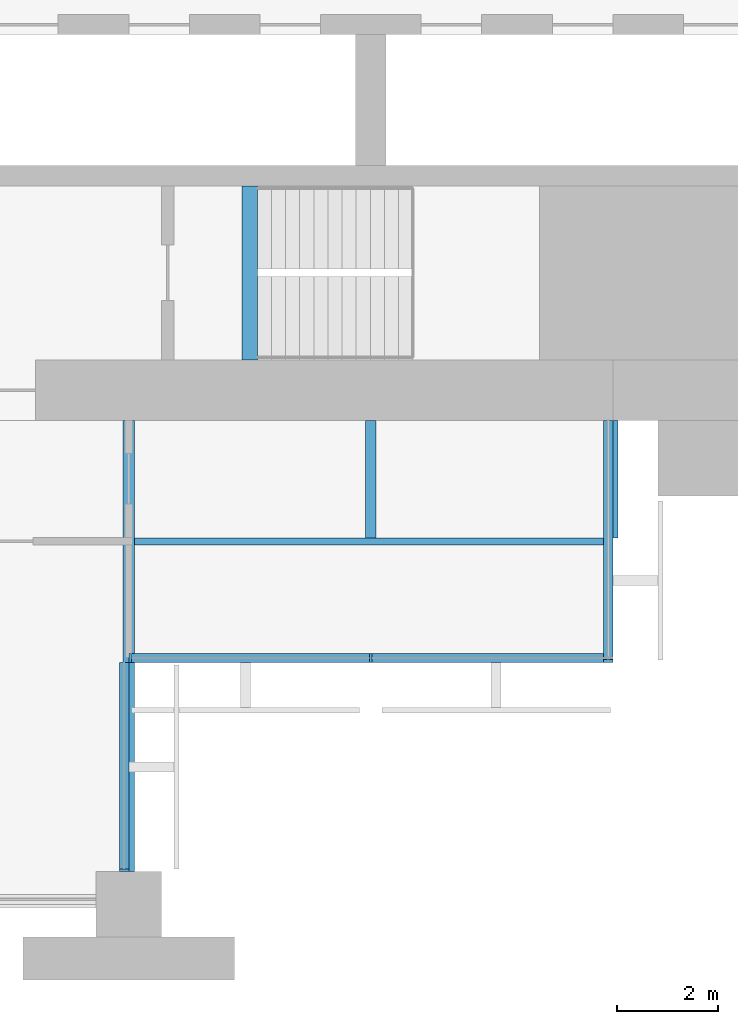
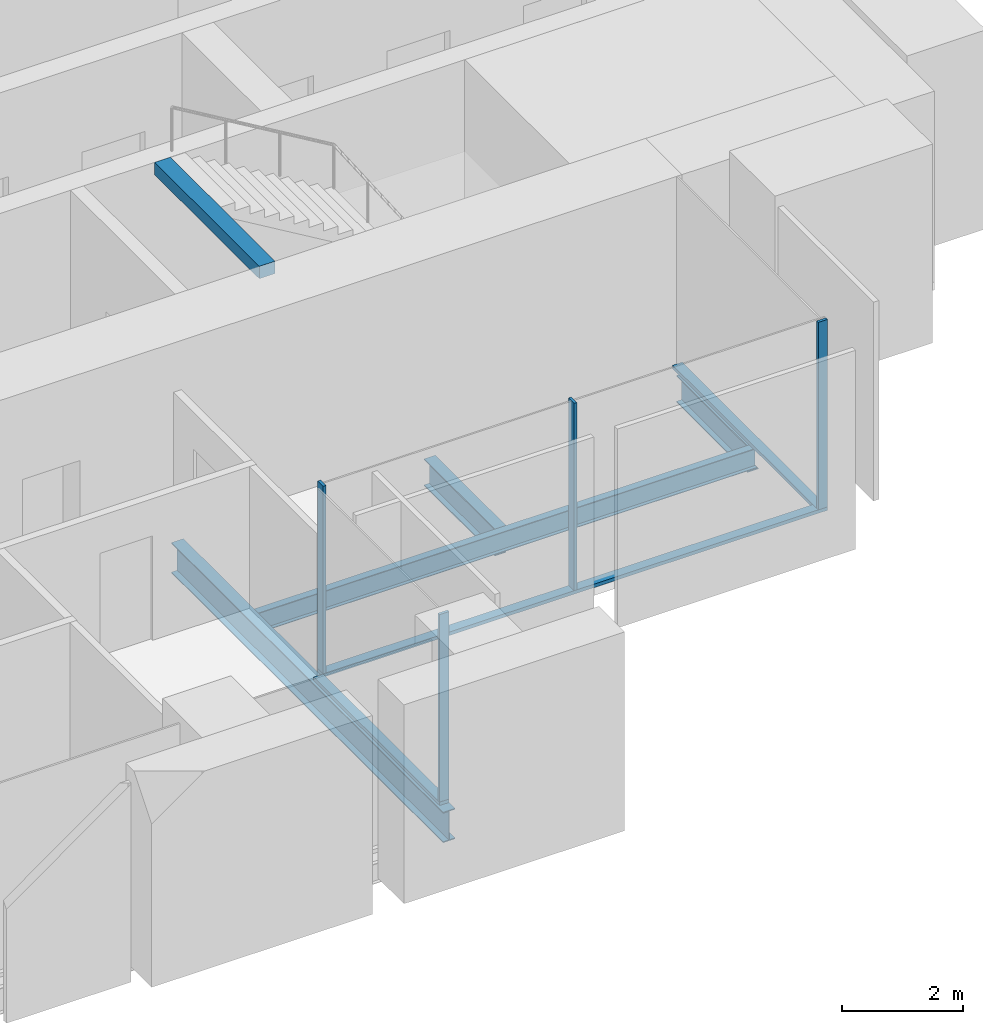
# One storey, part 4 of 14: 7 members, 5 beams, 3 elements without a shape of their own.
"""IFC4 building model written with IfcOpenShell, lengths in metres."""

from ifc_helpers import new_model, si_unit, direction, frame, origin, origin_2d, place, context, subcontext, project, spatial, rectangle, i_section, extrude, material, material_profile, profile_set, type_object, element, aggregate, save


model = new_model("IFC4")

# Units and contexts
model_context = context("Model", 3, precision=1e-05, world=origin(), true_north=direction((0.0, 1.0)))
body_context = subcontext(model_context, "Body", "Model", "MODEL_VIEW")
ifc_project = project(units=[si_unit("LENGTHUNIT", "METRE"), si_unit("AREAUNIT", "SQUARE_METRE"), si_unit("VOLUMEUNIT", "CUBIC_METRE"), si_unit("PLANEANGLEUNIT", "RADIAN"), si_unit("MASSUNIT", "GRAM", prefix="KILO")], contexts=[model_context])

# Site, building, storey
site_placement = place(None, origin())
site = spatial("IfcSite", under=ifc_project, at=site_placement, CompositionType="ELEMENT")
building_placement = place(site_placement, origin())
building = spatial("IfcBuilding", under=site, at=building_placement, Name="Baori Bourse Tower", CompositionType="ELEMENT")
storey_placement = place(building_placement, frame((0.0, 0.0, 79.0)))
storey = spatial("IfcBuildingStorey", under=building, at=storey_placement, Name="L17", CompositionType="ELEMENT", Elevation=79.0)

# Curtain wall, member
ifc_material_1 = material(Name="Pale anodised aluminium", Category="aluminium")
curtain_wall_type = type_object("IfcCurtainWallType", Name="CW2 Curtain wall", PredefinedType="NOTDEFINED", material=ifc_material_1)
curtain_wall_1_placement = place(storey_placement, origin())
curtain_wall_1 = element("IfcCurtainWall", 1, at=curtain_wall_1_placement, inside=storey, type_object=curtain_wall_type, Name="Curtain wall CW2 L17 12", PredefinedType="NOTDEFINED")
ifc_material_2 = material(Name="Pale anodised aluminium", Category="aluminium")
ifc_material_profile_1 = material_profile(ifc_material_2, rectangle(XDim=0.179931640625, YDim=0.054931640625, at=origin_2d()), Name="Mullion 55x180")
ifc_profile_set_1 = profile_set([ifc_material_profile_1], Name="Pale anodised aluminium")
member_type_1 = type_object("IfcMemberType", Name="CW2 Curtain wall mullion", PredefinedType="MULLION", material=ifc_profile_set_1)
member_1_placement = place(storey_placement, frame((43.110107421875, 0.677490234375, 0.070068359375), z_axis=(0.0, 0.0, 1.0), x_axis=(-1.0, 0.0, 0.0)))
member_1 = element("IfcMember", 2, at=member_1_placement, type_object=member_type_1, Name="Curtain wall CW2 mullion", PredefinedType="MULLION", context=body_context, shape_type="SweptSolid", body=[
    extrude(rectangle(XDim=0.179931640625, YDim=0.054931640625, at=origin_2d()), origin(), (0.0, 0.0, 1.0), 3.77001953125),
])

# Curtain wall, members
curtain_wall_2_placement = place(storey_placement, origin())
curtain_wall_2 = element("IfcCurtainWall", 3, at=curtain_wall_2_placement, inside=storey, type_object=curtain_wall_type, Name="Curtain wall CW2 L17 13", PredefinedType="NOTDEFINED")
member_2_placement = place(storey_placement, frame((43.2275390625, 4.889892578125, 0.070068359375), z_axis=(0.0, 0.0, 1.0), x_axis=(0.0, 1.0, 0.0)))
member_2 = element("IfcMember", 4, at=member_2_placement, type_object=member_type_1, Name="Curtain wall CW2 mullion", PredefinedType="MULLION", context=body_context, shape_type="SweptSolid", body=[
    extrude(rectangle(XDim=0.179931640625, YDim=0.054931640625, at=origin_2d()), origin(), (0.0, 0.0, 1.0), 3.77001953125),
])
member_3_placement = place(storey_placement, frame((48.0, 4.889892578125, 0.070068359375), z_axis=(0.0, 0.0, 1.0), x_axis=(0.0, 1.0, 0.0)))
member_3 = element("IfcMember", 5, at=member_3_placement, type_object=member_type_1, Name="Curtain wall CW2 mullion", PredefinedType="MULLION", context=body_context, shape_type="SweptSolid", body=[
    extrude(rectangle(XDim=0.179931640625, YDim=0.054931640625, at=origin_2d()), origin(), (0.0, 0.0, 1.0), 3.77001953125),
])

# Curtain wall, member
curtain_wall_3_placement = place(storey_placement, origin())
curtain_wall_3 = element("IfcCurtainWall", 6, at=curtain_wall_3_placement, inside=storey, type_object=curtain_wall_type, Name="Curtain wall CW2 L17 14", PredefinedType="NOTDEFINED")
member_4_placement = place(storey_placement, frame((52.7099609375, 4.827392578125, 0.070068359375), z_axis=(0.0, 0.0, 1.0), x_axis=(-1.0, 0.0, 0.0)))
member_4 = element("IfcMember", 7, at=member_4_placement, type_object=member_type_1, Name="Curtain wall CW2 mullion", PredefinedType="MULLION", context=body_context, shape_type="SweptSolid", body=[
    extrude(rectangle(XDim=0.179931640625, YDim=0.054931640625, at=origin_2d()), origin(), (0.0, 0.0, 1.0), 3.77001953125),
])

# Member
ifc_material_3 = material(Name="Pale anodised aluminium", Category="aluminium")
ifc_material_profile_2 = material_profile(ifc_material_3, rectangle(XDim=0.179931640625, YDim=0.070068359375, at=origin_2d()), Name="Transom 70x180")
ifc_profile_set_2 = profile_set([ifc_material_profile_2], Name="Pale anodised aluminium")
member_type_2 = type_object("IfcMemberType", Name="CW2 Curtain wall transom", PredefinedType="USERDEFINED", material=ifc_profile_set_2)
member_5_placement = place(storey_placement, frame((43.110107421875, 0.64990234375, 0.034912109375), z_axis=(0.0, 1.0, 0.0), x_axis=(-1.0, 0.0, 0.0)))
member_5 = element("IfcMember", 8, at=member_5_placement, type_object=member_type_2, Name="Curtain wall CW2 sill rail", ObjectType="TRANSOM", PredefinedType="USERDEFINED", context=body_context, shape_type="SweptSolid", body=[
    extrude(rectangle(XDim=0.179931640625, YDim=0.070068359375, at=origin_2d()), origin(), (0.0, 0.0, 1.0), 4.150146484375),
])

aggregate(curtain_wall_1, [member_5, member_1])

member_6_placement = place(storey_placement, frame((43.199951171875, 4.889892578125, 0.034912109375), z_axis=(1.0, 0.0, 0.0), x_axis=(0.0, 1.0, 0.0)))
member_6 = element("IfcMember", 9, at=member_6_placement, type_object=member_type_2, Name="Curtain wall CW2 sill rail", ObjectType="TRANSOM", PredefinedType="USERDEFINED", context=body_context, shape_type="SweptSolid", body=[
    extrude(rectangle(XDim=0.179931640625, YDim=0.070068359375, at=origin_2d()), origin(), (0.0, 0.0, 1.0), 9.60009765625),
])

aggregate(curtain_wall_2, [member_6, member_2, member_3])

member_7_placement = place(storey_placement, frame((52.7099609375, 4.800048828125, 0.034912109375), z_axis=(0.0, 1.0, 0.0), x_axis=(-1.0, 0.0, 0.0)))
member_7 = element("IfcMember", 10, at=member_7_placement, type_object=member_type_2, Name="Curtain wall CW2 sill rail", ObjectType="TRANSOM", PredefinedType="USERDEFINED", context=body_context, shape_type="SweptSolid", body=[
    extrude(rectangle(XDim=0.179931640625, YDim=0.070068359375, at=origin_2d()), origin(), (0.0, 0.0, 1.0), 4.800048828125),
])

aggregate(curtain_wall_3, [member_7, member_4])

# Beams
ifc_material_4 = material(Name="Steel A992 Gr 50", Category="steel")
ifc_material_profile_3 = material_profile(ifc_material_4, i_section(OverallWidth=0.21240234375, OverallDepth=0.54345703125, WebThickness=0.01318359375, FlangeThickness=0.021240234375, at=origin_2d()), Name="W21x83")
ifc_profile_set_3 = profile_set([ifc_material_profile_3], Name="Steel A992 Gr 50")
beam_type_1 = type_object("IfcBeamType", Name="Core bracket W21x83", PredefinedType="BEAM", material=ifc_profile_set_3)
for number, where, z_axis, x_axis, name in (
    (11, (48.0, 7.270263671875, -0.431884765625), (0.0, 1.0, 0.0), (-1.0, 0.0, 0.0), "Core bracket L17"),
    (12, (52.800048828125, 7.270263671875, -0.431884765625), (0.0, 1.0, 0.0), (-1.0, 0.0, 0.0), "Core bracket L17"),
):
    element("IfcBeam", number, at=place(storey_placement, frame(where, z_axis=z_axis, x_axis=x_axis)), inside=storey, type_object=beam_type_1, Name=name, PredefinedType="BEAM", context=body_context, shape_type="SweptSolid", body=[
        extrude(i_section(OverallWidth=0.21240234375, OverallDepth=0.54345703125, WebThickness=0.01318359375, FlangeThickness=0.021240234375, at=origin_2d()), origin(), (0.0, 0.0, 1.0), 2.329833984375),
    ])
ifc_material_5 = material(Name="Steel A992 Gr 50", Category="steel")
ifc_material_profile_4 = material_profile(ifc_material_5, i_section(OverallWidth=0.22900390625, OverallDepth=0.612060546875, WebThickness=0.011962890625, FlangeThickness=0.01953125, at=origin_2d()), Name="W24x84")
ifc_profile_set_4 = profile_set([ifc_material_profile_4], Name="Steel A992 Gr 50")
beam_type_2 = type_object("IfcBeamType", Name="Floor beam W24x84", PredefinedType="BEAM", material=ifc_profile_set_4)
beam_1_placement = place(storey_placement, frame((43.199951171875, 0.64990234375, -0.466064453125), z_axis=(0.0, 1.0, 0.0), x_axis=(-1.0, 0.0, 0.0)))
element("IfcBeam", 13, at=beam_1_placement, inside=storey, type_object=beam_type_2, Name="Floor beam L17", PredefinedType="BEAM", context=body_context, shape_type="SweptSolid", body=[
    extrude(i_section(OverallWidth=0.22900390625, OverallDepth=0.612060546875, WebThickness=0.011962890625, FlangeThickness=0.01953125, at=origin_2d()), origin(), (0.0, 0.0, 1.0), 8.9501953125),
])
ifc_material_6 = material(Name="Concrete f'c 50 MPa", Category="concrete")
ifc_material_profile_5 = material_profile(ifc_material_6, rectangle(XDim=0.300048828125, YDim=0.25, at=origin_2d()), Name="RC 300x250")
ifc_profile_set_5 = profile_set([ifc_material_profile_5], Name="Concrete f'c 50 MPa")
beam_type_3 = type_object("IfcBeamType", Name="Stair nib beam RC 300x250", PredefinedType="BEAM", material=ifc_profile_set_5)
beam_2_placement = place(storey_placement, frame((45.60009765625, 10.800048828125, 3.715087890625), z_axis=(0.0, 1.0, 0.0), x_axis=(-1.0, 0.0, 0.0)))
element("IfcBeam", 14, at=beam_2_placement, inside=storey, type_object=beam_type_3, Name="Stair EA nib beam L18", PredefinedType="BEAM", context=body_context, shape_type="SweptSolid", body=[
    extrude(rectangle(XDim=0.300048828125, YDim=0.25, at=origin_2d()), origin(), (0.0, 0.0, 1.0), 3.449951171875),
])
ifc_material_7 = material(Name="Steel A992 Gr 50", Category="steel")
ifc_material_profile_6 = material_profile(ifc_material_7, i_section(OverallWidth=0.140380859375, OverallDepth=0.40380859375, WebThickness=0.007080078125, FlangeThickness=0.01123046875, at=origin_2d()), Name="W16x31")
ifc_profile_set_6 = profile_set([ifc_material_profile_6], Name="Steel A992 Gr 50")
beam_type_4 = type_object("IfcBeamType", Name="Trimmer beam W16x31", PredefinedType="BEAM", material=ifc_profile_set_6)
beam_3_placement = place(storey_placement, frame((43.314453125, 7.199951171875, -0.36181640625), z_axis=(1.0, 0.0, 0.0), x_axis=(0.0, 1.0, 0.0)))
element("IfcBeam", 15, at=beam_3_placement, inside=storey, type_object=beam_type_4, Name="Trimmer beam L17", PredefinedType="BEAM", context=body_context, shape_type="SweptSolid", body=[
    extrude(i_section(OverallWidth=0.140380859375, OverallDepth=0.40380859375, WebThickness=0.007080078125, FlangeThickness=0.01123046875, at=origin_2d()), origin(), (0.0, 0.0, 1.0), 9.485595703125),
])

save(model, "model.ifc")
